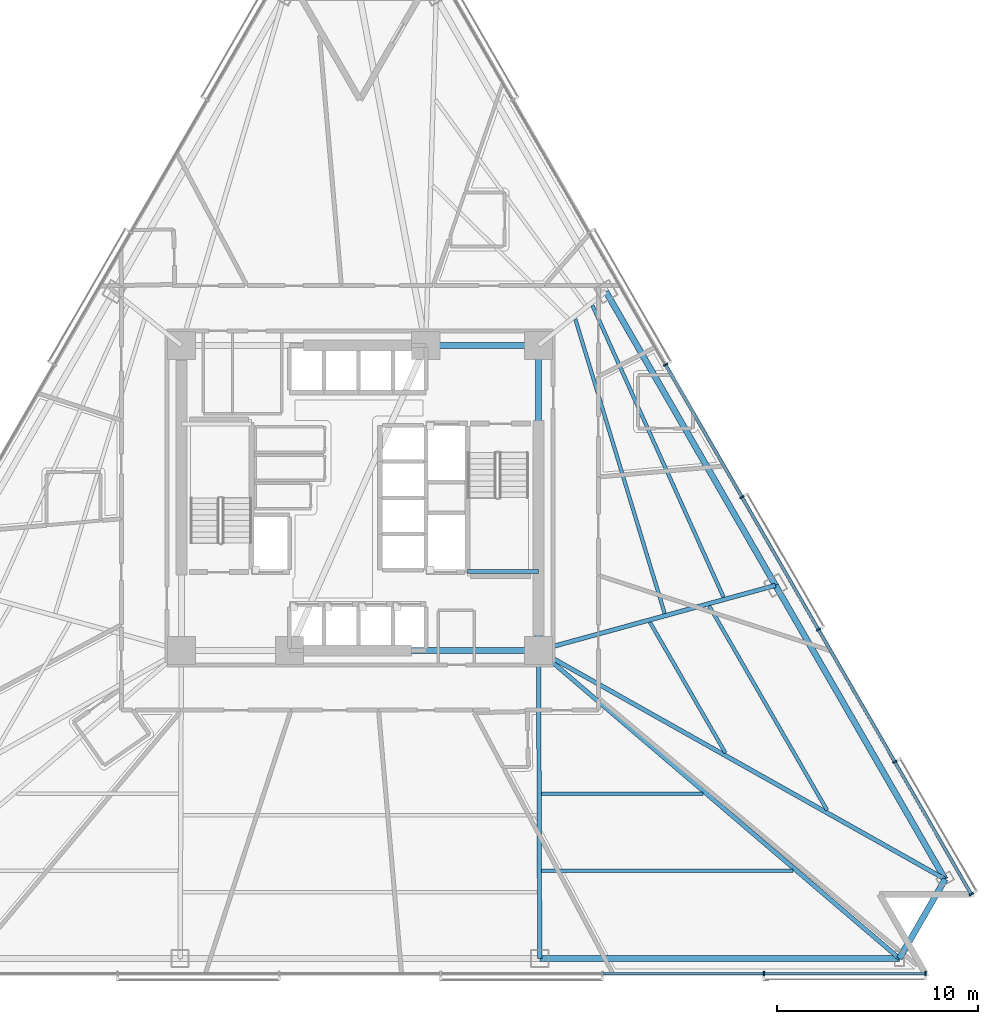
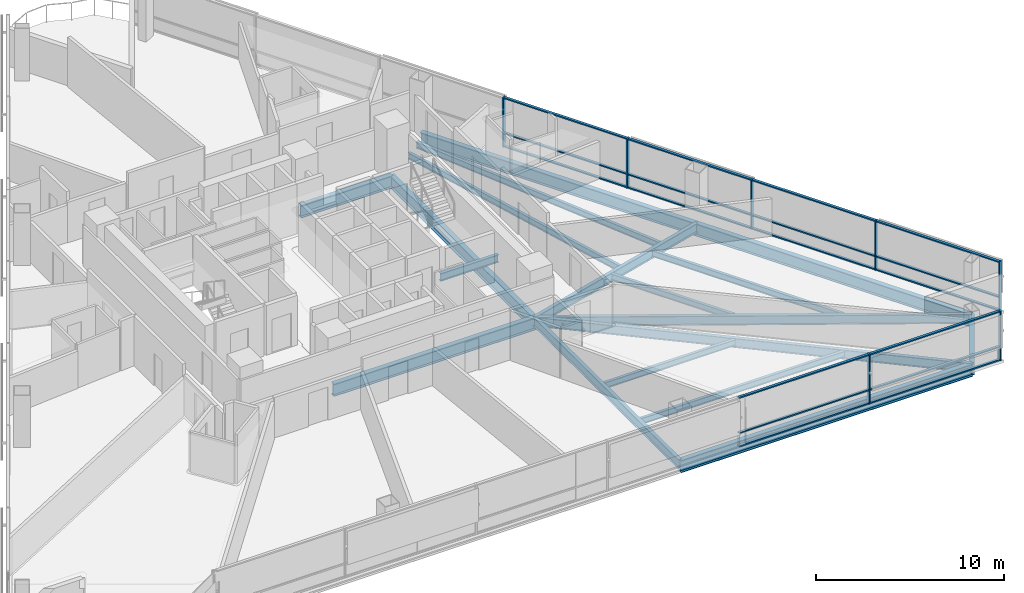
# One storey, part 4 of 18: 25 members, 18 beams, 2 elements without a shape of their own.
"""IFC4 building model written with IfcOpenShell, lengths in metres."""

from ifc_helpers import new_model, si_unit, direction, frame, origin, origin_2d, place, context, subcontext, project, spatial, rectangle, i_section, extrude, material, layer, layer_set, material_profile, profile_set, type_object, element, aggregate, save


model = new_model("IFC4")

# Units and contexts
model_context = context("Model", 3, precision=1e-05, world=origin(), true_north=direction((0.0, 1.0)))
body_context = subcontext(model_context, "Body", "Model", "MODEL_VIEW")
ifc_project = project(units=[si_unit("LENGTHUNIT", "METRE"), si_unit("AREAUNIT", "SQUARE_METRE"), si_unit("VOLUMEUNIT", "CUBIC_METRE"), si_unit("PLANEANGLEUNIT", "RADIAN"), si_unit("MASSUNIT", "GRAM", prefix="KILO")], contexts=[model_context])

# Site, building, storey
site_placement = place(None, origin())
site = spatial("IfcSite", under=ifc_project, at=site_placement, CompositionType="ELEMENT")
building_placement = place(site_placement, origin())
building = spatial("IfcBuilding", under=site, at=building_placement, Name="Tharavind Bronze Gate", CompositionType="ELEMENT")
storey_placement = place(building_placement, frame((0.0, 0.0, 38.64990234375)))
storey = spatial("IfcBuildingStorey", under=building, at=storey_placement, Name="L08", CompositionType="ELEMENT", Elevation=38.64990234375)

# Curtain wall, members
ifc_material_1 = material(Name="Anodised Bronze Aluminium", Category="aluminium")
ifc_layer = layer(ifc_material_1, 0.219970703125)
ifc_layer_set = layer_set([ifc_layer], Name="Anodised Bronze Aluminium")
curtain_wall_type = type_object("IfcCurtainWallType", Name="UNITISED CURTAIN WALL HOTEL", PredefinedType="USERDEFINED", material=ifc_layer_set)
curtain_wall_1_placement = place(storey_placement, origin())
curtain_wall_1 = element("IfcCurtainWall", 1, at=curtain_wall_1_placement, inside=storey, type_object=curtain_wall_type, Name="L08 unitised curtain wall hotel CW-L08-S2", ObjectType="UNITISED CURTAIN WALL", PredefinedType="USERDEFINED")
member_type_1 = type_object("IfcMemberType", Name="CURTAIN WALL MULLION 80X220", PredefinedType="MULLION", material=ifc_material_1)
member_1_placement = place(storey_placement, frame((20.12548828125, -23.699951171875, 0.0), z_axis=(0.0, 0.0, 1.0), x_axis=(1.0, 0.0, 0.0)))
member_1 = element("IfcMember", 2, at=member_1_placement, type_object=member_type_1, Name="CW-L08-S2 mullion 7", PredefinedType="MULLION", context=body_context, shape_type="SweptSolid", body=[
    extrude(rectangle(XDim=0.080078125, YDim=0.219970703125, at=origin_2d()), origin(), (0.0, 0.0, 1.0), 3.22509765625),
])
member_2_placement = place(storey_placement, frame((28.17578125, -23.699951171875, 0.0), z_axis=(0.0, 0.0, 1.0), x_axis=(1.0, 0.0, 0.0)))
member_2 = element("IfcMember", 3, at=member_2_placement, type_object=member_type_1, Name="CW-L08-S2 mullion 8", PredefinedType="MULLION", context=body_context, shape_type="SweptSolid", body=[
    extrude(rectangle(XDim=0.080078125, YDim=0.219970703125, at=origin_2d()), origin(), (0.0, 0.0, 1.0), 3.22509765625),
])

curtain_wall_2_placement = place(storey_placement, origin())
curtain_wall_2 = element("IfcCurtainWall", 4, at=curtain_wall_2_placement, inside=storey, type_object=curtain_wall_type, Name="L08 unitised curtain wall hotel CW-L08-S3", ObjectType="UNITISED CURTAIN WALL", PredefinedType="USERDEFINED")
member_3_placement = place(storey_placement, frame((30.455810546875, -19.7509765625, 0.0), z_axis=(0.0, 0.0, 1.0), x_axis=(-0.500001511499, 0.866024531118, 0.0)))
member_3 = element("IfcMember", 5, at=member_3_placement, type_object=member_type_1, Name="CW-L08-S3 mullion 1", PredefinedType="MULLION", context=body_context, shape_type="SweptSolid", body=[
    extrude(rectangle(XDim=0.080078125, YDim=0.219970703125, at=origin_2d()), origin(), (0.0, 0.0, 1.0), 3.22509765625),
])
member_4_placement = place(storey_placement, frame((26.647705078125, -13.1552734375, 0.0), z_axis=(0.0, 0.0, 1.0), x_axis=(-0.500001511499, 0.866024531118, 0.0)))
member_4 = element("IfcMember", 6, at=member_4_placement, type_object=member_type_1, Name="CW-L08-S3 mullion 2", PredefinedType="MULLION", context=body_context, shape_type="SweptSolid", body=[
    extrude(rectangle(XDim=0.080078125, YDim=0.219970703125, at=origin_2d()), origin(), (0.0, 0.0, 1.0), 3.22509765625),
])
member_5_placement = place(storey_placement, frame((22.83984375, -6.559814453125, 0.0), z_axis=(0.0, 0.0, 1.0), x_axis=(-0.500001511499, 0.866024531118, 0.0)))
member_5 = element("IfcMember", 7, at=member_5_placement, type_object=member_type_1, Name="CW-L08-S3 mullion 3", PredefinedType="MULLION", context=body_context, shape_type="SweptSolid", body=[
    extrude(rectangle(XDim=0.080078125, YDim=0.219970703125, at=origin_2d()), origin(), (0.0, 0.0, 1.0), 3.22509765625),
])
member_6_placement = place(storey_placement, frame((19.031982421875, 0.035888671875, 0.0), z_axis=(0.0, 0.0, 1.0), x_axis=(-0.500001511499, 0.866024531118, 0.0)))
member_6 = element("IfcMember", 8, at=member_6_placement, type_object=member_type_1, Name="CW-L08-S3 mullion 4", PredefinedType="MULLION", context=body_context, shape_type="SweptSolid", body=[
    extrude(rectangle(XDim=0.080078125, YDim=0.219970703125, at=origin_2d()), origin(), (0.0, 0.0, 1.0), 3.22509765625),
])
member_7_placement = place(storey_placement, frame((15.223876953125, 6.63134765625, 0.0), z_axis=(0.0, 0.0, 1.0), x_axis=(-0.500001511499, 0.866024531118, 0.0)))
member_7 = element("IfcMember", 9, at=member_7_placement, type_object=member_type_1, Name="CW-L08-S3 mullion 5", PredefinedType="MULLION", context=body_context, shape_type="SweptSolid", body=[
    extrude(rectangle(XDim=0.080078125, YDim=0.219970703125, at=origin_2d()), origin(), (0.0, 0.0, 1.0), 3.22509765625),
])

# Member
member_type_2 = type_object("IfcMemberType", Name="CURTAIN WALL TRANSOM 80X160", PredefinedType="USERDEFINED", material=ifc_material_1)
member_8_placement = place(storey_placement, frame((16.1005859375, -23.699951171875, 0.0), z_axis=(0.0, 0.0, 1.0), x_axis=(1.0, 0.0, 0.0)))
member_8 = element("IfcMember", 10, at=member_8_placement, type_object=member_type_2, Name="CW-L08-S2 transom TB6", ObjectType="TRANSOM", PredefinedType="USERDEFINED", context=body_context, shape_type="SweptSolid", body=[
    extrude(rectangle(XDim=7.982177734375, YDim=0.159912109375, at=origin_2d()), origin(), (0.0, 0.0, 1.0), 0.080078125),
])

member_9_placement = place(storey_placement, frame((16.1005859375, -23.699951171875, 0.860107421875), z_axis=(0.0, 0.0, 1.0), x_axis=(1.0, 0.0, 0.0)))
member_9 = element("IfcMember", 11, at=member_9_placement, type_object=member_type_2, Name="CW-L08-S2 transom TS6", ObjectType="TRANSOM", PredefinedType="USERDEFINED", context=body_context, shape_type="SweptSolid", body=[
    extrude(rectangle(XDim=7.982177734375, YDim=0.159912109375, at=origin_2d()), origin(), (0.0, 0.0, 1.0), 0.080078125),
])

member_10_placement = place(storey_placement, frame((16.1005859375, -23.699951171875, 3.14501953125), z_axis=(0.0, 0.0, 1.0), x_axis=(1.0, 0.0, 0.0)))
member_10 = element("IfcMember", 12, at=member_10_placement, type_object=member_type_2, Name="CW-L08-S2 transom TT6", ObjectType="TRANSOM", PredefinedType="USERDEFINED", context=body_context, shape_type="SweptSolid", body=[
    extrude(rectangle(XDim=7.982177734375, YDim=0.159912109375, at=origin_2d()), origin(), (0.0, 0.0, 1.0), 0.080078125),
])

member_11_placement = place(storey_placement, frame((24.150634765625, -23.699951171875, 0.0), z_axis=(0.0, 0.0, 1.0), x_axis=(1.0, 0.0, 0.0)))
member_11 = element("IfcMember", 13, at=member_11_placement, type_object=member_type_2, Name="CW-L08-S2 transom TB7", ObjectType="TRANSOM", PredefinedType="USERDEFINED", context=body_context, shape_type="SweptSolid", body=[
    extrude(rectangle(XDim=7.982177734375, YDim=0.159912109375, at=origin_2d()), origin(), (0.0, 0.0, 1.0), 0.080078125),
])

member_12_placement = place(storey_placement, frame((24.150634765625, -23.699951171875, 0.860107421875), z_axis=(0.0, 0.0, 1.0), x_axis=(1.0, 0.0, 0.0)))
member_12 = element("IfcMember", 14, at=member_12_placement, type_object=member_type_2, Name="CW-L08-S2 transom TS7", ObjectType="TRANSOM", PredefinedType="USERDEFINED", context=body_context, shape_type="SweptSolid", body=[
    extrude(rectangle(XDim=7.982177734375, YDim=0.159912109375, at=origin_2d()), origin(), (0.0, 0.0, 1.0), 0.080078125),
])

member_13_placement = place(storey_placement, frame((24.150634765625, -23.699951171875, 3.14501953125), z_axis=(0.0, 0.0, 1.0), x_axis=(1.0, 0.0, 0.0)))
member_13 = element("IfcMember", 15, at=member_13_placement, type_object=member_type_2, Name="CW-L08-S2 transom TT7", ObjectType="TRANSOM", PredefinedType="USERDEFINED", context=body_context, shape_type="SweptSolid", body=[
    extrude(rectangle(XDim=7.982177734375, YDim=0.159912109375, at=origin_2d()), origin(), (0.0, 0.0, 1.0), 0.080078125),
])

aggregate(curtain_wall_1, [member_1, member_2, member_8, member_9, member_10, member_11, member_12, member_13])

member_14_placement = place(storey_placement, frame((28.5517578125, -16.453125, 0.0), z_axis=(0.0, 0.0, 1.0), x_axis=(-0.500001511499, 0.866024531118, 0.0)))
member_14 = element("IfcMember", 16, at=member_14_placement, type_object=member_type_2, Name="CW-L08-S3 transom TB1", ObjectType="TRANSOM", PredefinedType="USERDEFINED", context=body_context, shape_type="SweptSolid", body=[
    extrude(rectangle(XDim=7.5478515625, YDim=0.159912109375, at=origin_2d()), origin(), (0.0, 0.0, 1.0), 0.080078125),
])

member_15_placement = place(storey_placement, frame((28.5517578125, -16.453125, 0.860107421875), z_axis=(0.0, 0.0, 1.0), x_axis=(-0.500001511499, 0.866024531118, 0.0)))
member_15 = element("IfcMember", 17, at=member_15_placement, type_object=member_type_2, Name="CW-L08-S3 transom TS1", ObjectType="TRANSOM", PredefinedType="USERDEFINED", context=body_context, shape_type="SweptSolid", body=[
    extrude(rectangle(XDim=7.5478515625, YDim=0.159912109375, at=origin_2d()), origin(), (0.0, 0.0, 1.0), 0.080078125),
])

member_16_placement = place(storey_placement, frame((28.5517578125, -16.453125, 3.14501953125), z_axis=(0.0, 0.0, 1.0), x_axis=(-0.500001511499, 0.866024531118, 0.0)))
member_16 = element("IfcMember", 18, at=member_16_placement, type_object=member_type_2, Name="CW-L08-S3 transom TT1", ObjectType="TRANSOM", PredefinedType="USERDEFINED", context=body_context, shape_type="SweptSolid", body=[
    extrude(rectangle(XDim=7.5478515625, YDim=0.159912109375, at=origin_2d()), origin(), (0.0, 0.0, 1.0), 0.080078125),
])

member_17_placement = place(storey_placement, frame((24.743896484375, -9.857421875, 0.0), z_axis=(0.0, 0.0, 1.0), x_axis=(-0.500001511499, 0.866024531118, 0.0)))
member_17 = element("IfcMember", 19, at=member_17_placement, type_object=member_type_2, Name="CW-L08-S3 transom TB2", ObjectType="TRANSOM", PredefinedType="USERDEFINED", context=body_context, shape_type="SweptSolid", body=[
    extrude(rectangle(XDim=7.5478515625, YDim=0.159912109375, at=origin_2d()), origin(), (0.0, 0.0, 1.0), 0.080078125),
])

member_18_placement = place(storey_placement, frame((24.743896484375, -9.857421875, 0.860107421875), z_axis=(0.0, 0.0, 1.0), x_axis=(-0.500001511499, 0.866024531118, 0.0)))
member_18 = element("IfcMember", 20, at=member_18_placement, type_object=member_type_2, Name="CW-L08-S3 transom TS2", ObjectType="TRANSOM", PredefinedType="USERDEFINED", context=body_context, shape_type="SweptSolid", body=[
    extrude(rectangle(XDim=7.5478515625, YDim=0.159912109375, at=origin_2d()), origin(), (0.0, 0.0, 1.0), 0.080078125),
])

member_19_placement = place(storey_placement, frame((24.743896484375, -9.857421875, 3.14501953125), z_axis=(0.0, 0.0, 1.0), x_axis=(-0.500001511499, 0.866024531118, 0.0)))
member_19 = element("IfcMember", 21, at=member_19_placement, type_object=member_type_2, Name="CW-L08-S3 transom TT2", ObjectType="TRANSOM", PredefinedType="USERDEFINED", context=body_context, shape_type="SweptSolid", body=[
    extrude(rectangle(XDim=7.5478515625, YDim=0.159912109375, at=origin_2d()), origin(), (0.0, 0.0, 1.0), 0.080078125),
])

member_20_placement = place(storey_placement, frame((20.935791015625, -3.261962890625, 0.0), z_axis=(0.0, 0.0, 1.0), x_axis=(-0.500001511499, 0.866024531118, 0.0)))
member_20 = element("IfcMember", 22, at=member_20_placement, type_object=member_type_2, Name="CW-L08-S3 transom TB3", ObjectType="TRANSOM", PredefinedType="USERDEFINED", context=body_context, shape_type="SweptSolid", body=[
    extrude(rectangle(XDim=7.5478515625, YDim=0.159912109375, at=origin_2d()), origin(), (0.0, 0.0, 1.0), 0.080078125),
])

member_21_placement = place(storey_placement, frame((20.935791015625, -3.261962890625, 0.860107421875), z_axis=(0.0, 0.0, 1.0), x_axis=(-0.500001511499, 0.866024531118, 0.0)))
member_21 = element("IfcMember", 23, at=member_21_placement, type_object=member_type_2, Name="CW-L08-S3 transom TS3", ObjectType="TRANSOM", PredefinedType="USERDEFINED", context=body_context, shape_type="SweptSolid", body=[
    extrude(rectangle(XDim=7.5478515625, YDim=0.159912109375, at=origin_2d()), origin(), (0.0, 0.0, 1.0), 0.080078125),
])

member_22_placement = place(storey_placement, frame((20.935791015625, -3.261962890625, 3.14501953125), z_axis=(0.0, 0.0, 1.0), x_axis=(-0.500001511499, 0.866024531118, 0.0)))
member_22 = element("IfcMember", 24, at=member_22_placement, type_object=member_type_2, Name="CW-L08-S3 transom TT3", ObjectType="TRANSOM", PredefinedType="USERDEFINED", context=body_context, shape_type="SweptSolid", body=[
    extrude(rectangle(XDim=7.5478515625, YDim=0.159912109375, at=origin_2d()), origin(), (0.0, 0.0, 1.0), 0.080078125),
])

member_23_placement = place(storey_placement, frame((17.1279296875, 3.33349609375, 0.0), z_axis=(0.0, 0.0, 1.0), x_axis=(-0.500001511499, 0.866024531118, 0.0)))
member_23 = element("IfcMember", 25, at=member_23_placement, type_object=member_type_2, Name="CW-L08-S3 transom TB4", ObjectType="TRANSOM", PredefinedType="USERDEFINED", context=body_context, shape_type="SweptSolid", body=[
    extrude(rectangle(XDim=7.5478515625, YDim=0.159912109375, at=origin_2d()), origin(), (0.0, 0.0, 1.0), 0.080078125),
])

member_24_placement = place(storey_placement, frame((17.1279296875, 3.33349609375, 0.860107421875), z_axis=(0.0, 0.0, 1.0), x_axis=(-0.500001511499, 0.866024531118, 0.0)))
member_24 = element("IfcMember", 26, at=member_24_placement, type_object=member_type_2, Name="CW-L08-S3 transom TS4", ObjectType="TRANSOM", PredefinedType="USERDEFINED", context=body_context, shape_type="SweptSolid", body=[
    extrude(rectangle(XDim=7.5478515625, YDim=0.159912109375, at=origin_2d()), origin(), (0.0, 0.0, 1.0), 0.080078125),
])

member_25_placement = place(storey_placement, frame((17.1279296875, 3.33349609375, 3.14501953125), z_axis=(0.0, 0.0, 1.0), x_axis=(-0.500001511499, 0.866024531118, 0.0)))
member_25 = element("IfcMember", 27, at=member_25_placement, type_object=member_type_2, Name="CW-L08-S3 transom TT4", ObjectType="TRANSOM", PredefinedType="USERDEFINED", context=body_context, shape_type="SweptSolid", body=[
    extrude(rectangle(XDim=7.5478515625, YDim=0.159912109375, at=origin_2d()), origin(), (0.0, 0.0, 1.0), 0.080078125),
])

aggregate(curtain_wall_2, [member_3, member_4, member_5, member_6, member_7, member_14, member_15, member_16, member_17, member_18, member_19, member_20, member_21, member_22, member_23, member_24, member_25])

# Beams
ifc_material_2 = material(Name="Steel S355", Category="steel")
ifc_material_profile_1 = material_profile(ifc_material_2, i_section(OverallWidth=0.199951171875, OverallDepth=0.5, WebThickness=0.01025390625, FlangeThickness=0.01611328125, at=origin_2d()), Name="IPE500")
ifc_profile_set_1 = profile_set([ifc_material_profile_1], Name="Steel S355")
beam_type_1 = type_object("IfcBeamType", Name="PRIMARY GIRDER IPE500", PredefinedType="USERDEFINED", material=ifc_profile_set_1)
beam_1_placement = place(storey_placement, frame((5.35009765625, -3.679931640625, 1.25), z_axis=(1.0, 0.0, 0.0), x_axis=(0.0, 1.0, 0.0)))
element("IfcBeam", 28, at=beam_1_placement, inside=storey, type_object=beam_type_1, Name="L08 primary girder ipe500 BM-LD-ST2-L08-1", ObjectType="GIRDER", PredefinedType="USERDEFINED", context=body_context, shape_type="SweptSolid", body=[
    extrude(i_section(OverallWidth=0.199951171875, OverallDepth=0.5, WebThickness=0.01025390625, FlangeThickness=0.01611328125, at=origin_2d()), origin(), (0.0, 0.0, 1.0), 3.5498046875),
])
ifc_material_profile_2 = material_profile(ifc_material_2, i_section(OverallWidth=0.219970703125, OverallDepth=0.60009765625, WebThickness=0.011962890625, FlangeThickness=0.01904296875, at=origin_2d()), Name="IPE600")
ifc_profile_set_2 = profile_set([ifc_material_profile_2], Name="Steel S355")
beam_type_2 = type_object("IfcBeamType", Name="PRIMARY GIRDER IPE600", PredefinedType="USERDEFINED", material=ifc_profile_set_2)
beam_2_placement = place(storey_placement, frame((8.958984375, -22.949951171875, -0.474853515625), z_axis=(-0.003849000484, 0.99999259257, 0.0), x_axis=(-0.99999259257, -0.003849000484, 0.0)))
element("IfcBeam", 29, at=beam_2_placement, inside=storey, type_object=beam_type_2, Name="L08 primary girder ipe600 BM-L08-RAD07", ObjectType="GIRDER", PredefinedType="USERDEFINED", context=body_context, shape_type="SweptSolid", body=[
    extrude(i_section(OverallWidth=0.219970703125, OverallDepth=0.60009765625, WebThickness=0.011962890625, FlangeThickness=0.01904296875, at=origin_2d()), origin(), (0.0, 0.0, 1.0), 15.349853515625),
])
beam_3_placement = place(storey_placement, frame((26.876708984375, -22.949951171875, -0.474853515625), z_axis=(-0.76048513475, 0.649355341723, 0.0), x_axis=(-0.649355341723, -0.76048513475, 0.0)))
element("IfcBeam", 30, at=beam_3_placement, inside=storey, type_object=beam_type_2, Name="L08 primary girder ipe600 BM-L08-RAD08", ObjectType="GIRDER", PredefinedType="USERDEFINED", context=body_context, shape_type="SweptSolid", body=[
    extrude(i_section(OverallWidth=0.219970703125, OverallDepth=0.60009765625, WebThickness=0.011962890625, FlangeThickness=0.01904296875, at=origin_2d()), origin(), (0.0, 0.0, 1.0), 23.638671875),
])
beam_4_placement = place(storey_placement, frame((29.15673828125, -19.0009765625, -0.474853515625), z_axis=(-0.871457703454, 0.490470662824, 0.0), x_axis=(-0.490470662824, -0.871457703454, 0.0)))
element("IfcBeam", 31, at=beam_4_placement, inside=storey, type_object=beam_type_2, Name="L08 primary girder ipe600 BM-L08-RAD09", ObjectType="GIRDER", PredefinedType="USERDEFINED", context=body_context, shape_type="SweptSolid", body=[
    extrude(i_section(OverallWidth=0.219970703125, OverallDepth=0.60009765625, WebThickness=0.011962890625, FlangeThickness=0.01904296875, at=origin_2d()), origin(), (0.0, 0.0, 1.0), 23.244873046875),
])
beam_5_placement = place(storey_placement, frame((20.70458984375, -4.361083984375, -0.474853515625), z_axis=(-0.96435718827, -0.264603880228, 0.0), x_axis=(0.264603880228, -0.96435718827, 0.0)))
element("IfcBeam", 32, at=beam_5_placement, inside=storey, type_object=beam_type_2, Name="L08 primary girder ipe600 BM-L08-RAD10", ObjectType="GIRDER", PredefinedType="USERDEFINED", context=body_context, shape_type="SweptSolid", body=[
    extrude(i_section(OverallWidth=0.219970703125, OverallDepth=0.60009765625, WebThickness=0.011962890625, FlangeThickness=0.01904296875, at=origin_2d()), origin(), (0.0, 0.0, 1.0), 12.240966796875),
])
ifc_material_profile_3 = material_profile(ifc_material_2, i_section(OverallWidth=0.300048828125, OverallDepth=0.800048828125, WebThickness=0.017578125, FlangeThickness=0.032958984375, at=origin_2d()), Name="HE800B")
ifc_profile_set_3 = profile_set([ifc_material_profile_3], Name="Steel S355")
beam_type_3 = type_object("IfcBeamType", Name="RING GIRDER HE800B", PredefinedType="USERDEFINED", material=ifc_profile_set_3)
beam_6_placement = place(storey_placement, frame((-3.5, -7.60009765625, -0.574951171875), z_axis=(1.0, 0.0, 0.0), x_axis=(0.0, 1.0, 0.0)))
element("IfcBeam", 33, at=beam_6_placement, inside=storey, type_object=beam_type_3, Name="L08 ring girder he800b BM-L08-CR2", ObjectType="GIRDER", PredefinedType="USERDEFINED", context=body_context, shape_type="SweptSolid", body=[
    extrude(i_section(OverallWidth=0.300048828125, OverallDepth=0.800048828125, WebThickness=0.017578125, FlangeThickness=0.032958984375, at=origin_2d()), origin(), (0.0, 0.0, 1.0), 12.39990234375),
])
beam_7_placement = place(storey_placement, frame((8.89990234375, -7.60009765625, -0.574951171875), z_axis=(0.0, 1.0, 0.0), x_axis=(-1.0, 0.0, 0.0)))
element("IfcBeam", 34, at=beam_7_placement, inside=storey, type_object=beam_type_3, Name="L08 ring girder he800b BM-L08-CR3", ObjectType="GIRDER", PredefinedType="USERDEFINED", context=body_context, shape_type="SweptSolid", body=[
    extrude(i_section(OverallWidth=0.300048828125, OverallDepth=0.800048828125, WebThickness=0.017578125, FlangeThickness=0.032958984375, at=origin_2d()), origin(), (0.0, 0.0, 1.0), 15.2001953125),
])
beam_8_placement = place(storey_placement, frame((8.89990234375, 7.60009765625, -0.574951171875), z_axis=(-1.0, 0.0, 0.0), x_axis=(0.0, -1.0, 0.0)))
element("IfcBeam", 35, at=beam_8_placement, inside=storey, type_object=beam_type_3, Name="L08 ring girder he800b BM-L08-CR4", ObjectType="GIRDER", PredefinedType="USERDEFINED", context=body_context, shape_type="SweptSolid", body=[
    extrude(i_section(OverallWidth=0.300048828125, OverallDepth=0.800048828125, WebThickness=0.017578125, FlangeThickness=0.032958984375, at=origin_2d()), origin(), (0.0, 0.0, 1.0), 5.619873046875),
])
beam_9_placement = place(storey_placement, frame((8.958984375, -22.949951171875, -0.574951171875), z_axis=(1.0, 0.0, 0.0), x_axis=(0.0, 1.0, 0.0)))
element("IfcBeam", 36, at=beam_9_placement, inside=storey, type_object=beam_type_3, Name="L08 ring girder he800b BM-L08-PRG07", ObjectType="GIRDER", PredefinedType="USERDEFINED", context=body_context, shape_type="SweptSolid", body=[
    extrude(i_section(OverallWidth=0.300048828125, OverallDepth=0.800048828125, WebThickness=0.017578125, FlangeThickness=0.032958984375, at=origin_2d()), origin(), (0.0, 0.0, 1.0), 17.917724609375),
])
beam_10_placement = place(storey_placement, frame((26.876708984375, -22.949951171875, -0.574951171875), z_axis=(0.500014431597, 0.866017071537, 0.0), x_axis=(-0.866017071537, 0.500014431597, 0.0)))
element("IfcBeam", 37, at=beam_10_placement, inside=storey, type_object=beam_type_3, Name="L08 ring girder he800b BM-L08-PRG08", ObjectType="GIRDER", PredefinedType="USERDEFINED", context=body_context, shape_type="SweptSolid", body=[
    extrude(i_section(OverallWidth=0.300048828125, OverallDepth=0.800048828125, WebThickness=0.017578125, FlangeThickness=0.032958984375, at=origin_2d()), origin(), (0.0, 0.0, 1.0), 4.559814453125),
])
for number, where, z_axis, x_axis, name in (
    (38, (29.15673828125, -19.0009765625, -0.574951171875), (-0.4999912383, 0.866030462295, 0.0), (-0.866030462295, -0.4999912383, 0.0), "L08 ring girder he800b BM-L08-PRG09"),
    (39, (20.70458984375, -4.361083984375, -0.574951171875), (-0.50000832373, 0.866020598023, 0.0), (-0.866020598023, -0.50000832373, 0.0), "L08 ring girder he800b BM-L08-PRG10"),
):
    element("IfcBeam", number, at=place(storey_placement, frame(where, z_axis=z_axis, x_axis=x_axis)), inside=storey, type_object=beam_type_3, Name=name, ObjectType="GIRDER", PredefinedType="USERDEFINED", context=body_context, shape_type="SweptSolid", body=[
        extrude(i_section(OverallWidth=0.300048828125, OverallDepth=0.800048828125, WebThickness=0.017578125, FlangeThickness=0.032958984375, at=origin_2d()), origin(), (0.0, 0.0, 1.0), 16.904541015625),
    ])
ifc_material_profile_4 = material_profile(ifc_material_2, i_section(OverallWidth=0.179931640625, OverallDepth=0.39990234375, WebThickness=0.008544921875, FlangeThickness=0.013427734375, at=origin_2d()), Name="IPE400")
ifc_profile_set_4 = profile_set([ifc_material_profile_4], Name="Steel S355")
beam_type_4 = type_object("IfcBeamType", Name="SECONDARY FLOOR JOIST IPE400", PredefinedType="JOIST", material=ifc_profile_set_4)
beam_11_placement = place(storey_placement, frame((9.04150390625, -14.73779296875, -0.375), z_axis=(1.0, 0.0, 0.0), x_axis=(0.0, 1.0, 0.0)))
element("IfcBeam", 40, at=beam_11_placement, inside=storey, type_object=beam_type_4, Name="L08 secondary floor joist ipe400 BM-L08-JSTA07", PredefinedType="JOIST", context=body_context, shape_type="SweptSolid", body=[
    extrude(i_section(OverallWidth=0.179931640625, OverallDepth=0.39990234375, WebThickness=0.008544921875, FlangeThickness=0.013427734375, at=origin_2d()), origin(), (0.0, 0.0, 1.0), 8.044189453125),
])
beam_12_placement = place(storey_placement, frame((9.05615234375, -18.5751953125, -0.375), z_axis=(1.0, 0.0, 0.0), x_axis=(0.0, 1.0, 0.0)))
element("IfcBeam", 41, at=beam_12_placement, inside=storey, type_object=beam_type_4, Name="L08 secondary floor joist ipe400 BM-L08-JSTB07", PredefinedType="JOIST", context=body_context, shape_type="SweptSolid", body=[
    extrude(i_section(OverallWidth=0.179931640625, OverallDepth=0.39990234375, WebThickness=0.008544921875, FlangeThickness=0.013427734375, at=origin_2d()), origin(), (0.0, 0.0, 1.0), 12.52392578125),
])
beam_13_placement = place(storey_placement, frame((18.20947265625, -12.7109375, -0.375), z_axis=(-0.499995879736, 0.866027782607, 0.0), x_axis=(-0.866027782607, -0.499995879736, 0.0)))
element("IfcBeam", 42, at=beam_13_placement, inside=storey, type_object=beam_type_4, Name="L08 secondary floor joist ipe400 BM-L08-JSTA09", PredefinedType="JOIST", context=body_context, shape_type="SweptSolid", body=[
    extrude(i_section(OverallWidth=0.179931640625, OverallDepth=0.39990234375, WebThickness=0.008544921875, FlangeThickness=0.013427734375, at=origin_2d()), origin(), (0.0, 0.0, 1.0), 7.52294921875),
])
beam_14_placement = place(storey_placement, frame((23.273681640625, -15.561279296875, -0.375), z_axis=(-0.499996459651, 0.866027447796, 0.0), x_axis=(-0.866027447796, -0.499996459651, 0.0)))
element("IfcBeam", 43, at=beam_14_placement, inside=storey, type_object=beam_type_4, Name="L08 secondary floor joist ipe400 BM-L08-JSTB09", PredefinedType="JOIST", context=body_context, shape_type="SweptSolid", body=[
    extrude(i_section(OverallWidth=0.179931640625, OverallDepth=0.39990234375, WebThickness=0.008544921875, FlangeThickness=0.013427734375, at=origin_2d()), origin(), (0.0, 0.0, 1.0), 11.7490234375),
])
beam_15_placement = place(storey_placement, frame((15.182373046875, -5.758056640625, -0.375), z_axis=(-0.290410798392, 0.956902068227, 0.0), x_axis=(-0.956902068227, -0.290410798392, 0.0)))
element("IfcBeam", 44, at=beam_15_placement, inside=storey, type_object=beam_type_4, Name="L08 secondary floor joist ipe400 BM-L08-JSTA10", PredefinedType="JOIST", context=body_context, shape_type="SweptSolid", body=[
    extrude(i_section(OverallWidth=0.179931640625, OverallDepth=0.39990234375, WebThickness=0.008544921875, FlangeThickness=0.013427734375, at=origin_2d()), origin(), (0.0, 0.0, 1.0), 15.334716796875),
])
beam_16_placement = place(storey_placement, frame((18.119140625, -4.952392578125, -0.375), z_axis=(-0.40998786392, 0.91209097761, 0.0), x_axis=(-0.91209097761, -0.40998786392, 0.0)))
element("IfcBeam", 45, at=beam_16_placement, inside=storey, type_object=beam_type_4, Name="L08 secondary floor joist ipe400 BM-L08-JSTB10", PredefinedType="JOIST", context=body_context, shape_type="SweptSolid", body=[
    extrude(i_section(OverallWidth=0.179931640625, OverallDepth=0.39990234375, WebThickness=0.008544921875, FlangeThickness=0.013427734375, at=origin_2d()), origin(), (0.0, 0.0, 1.0), 15.949951171875),
])

save(model, "model.ifc")
